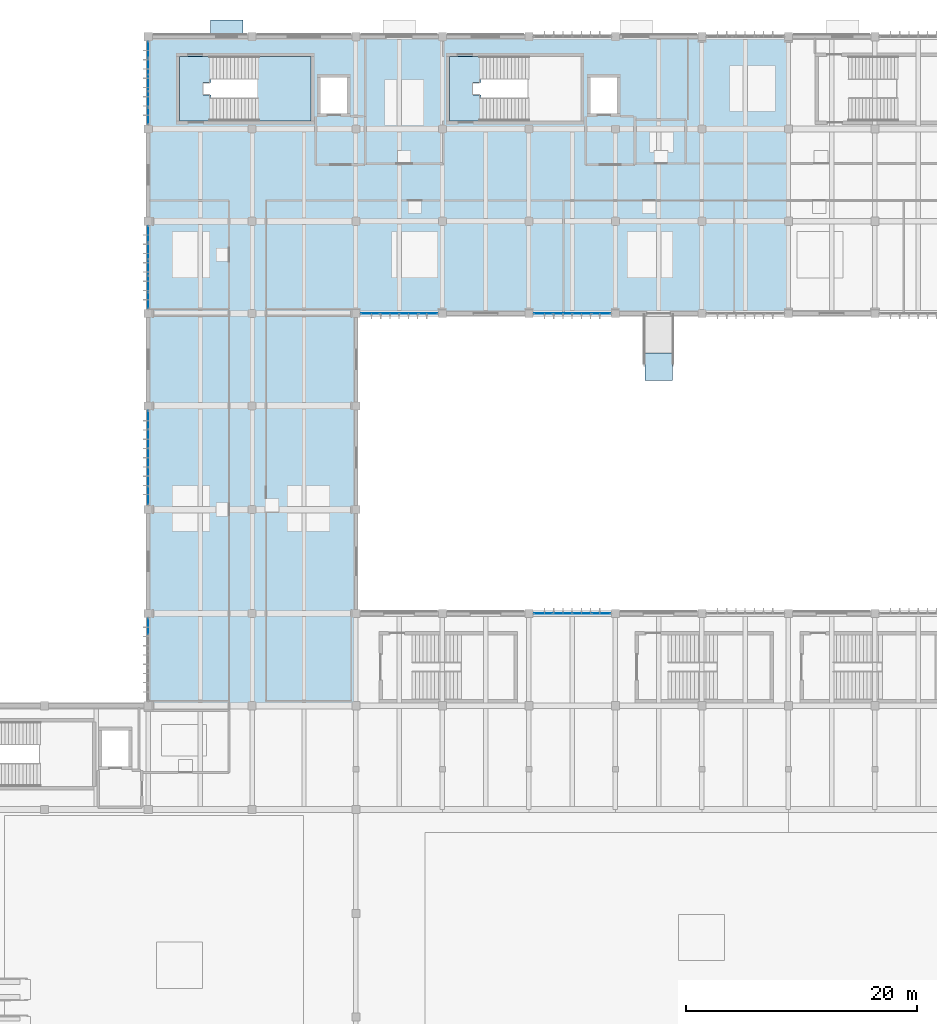
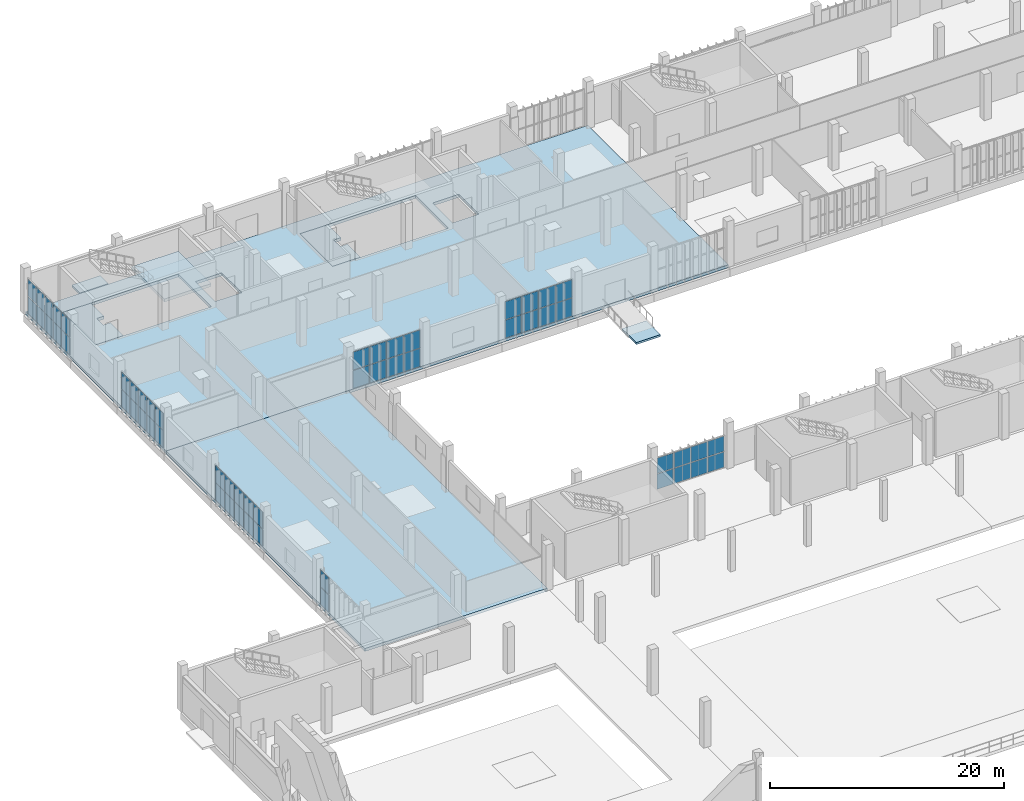
# One storey, part 36 of 72: 56 plates, 7 slabs, 8 elements without a shape of their own.
"""IFC4 building model written with IfcOpenShell, lengths in metres."""

import ifcopenshell
import ifcopenshell.guid

model = None  # the IFC model being written
_history = None  # IfcOwnerHistory: only IFC2X3 demands one
_inside = {}  # id of a spatial element -> (the spatial element, [elements in it])
_under = {}  # id of a project, library or spatial element -> (it, [spatial elements below it])
_declared = {}  # id of a project -> (the project, [libraries it declares])
_typed = {}  # id of a type object -> (the type object, [elements of that type])
_made_of = {}  # id of a material, layer set ... -> (it, [elements and type objects made of it])


def new_model(schema):
    """Start an empty IFC model of exactly this schema.

    Asked for "IFC4X3", IfcOpenShell would pick the latest addendum, in which some entities
    have other attributes; the version numbers below select the first issue.
    IFC2X3 requires an IfcOwnerHistory on every rooted entity: one is made here for all.
    """
    global model, _history
    if schema == "IFC4X3":
        model = ifcopenshell.file(schema_version=(4, 3, 0, 0))
    else:
        model = ifcopenshell.file(schema=schema)
    _inside.clear()
    _under.clear()
    _declared.clear()
    _typed.clear()
    _made_of.clear()
    _history = None
    if model.schema == "IFC2X3":
        org = make("IfcOrganization", Name="unknown")
        user = make(
            "IfcPersonAndOrganization",
            ThePerson=make("IfcPerson", FamilyName="unknown"),
            TheOrganization=org,
        )
        app = make(
            "IfcApplication",
            ApplicationDeveloper=org,
            Version="unknown",
            ApplicationFullName="unknown",
            ApplicationIdentifier="unknown",
        )
        _history = make(
            "IfcOwnerHistory",
            OwningUser=user,
            OwningApplication=app,
            ChangeAction="ADDED",
            CreationDate=0,
        )
    return model


def make(cls, **values):
    """One entity of the class cls with the attributes given. An attribute that is None is left unset."""
    return model.create_entity(
        cls, **{name: value for name, value in values.items() if value is not None}
    )


def rooted(cls, **values):
    """An entity with a GlobalId (a new one), such as an element, a storey or a relation."""
    return make(cls, GlobalId=ifcopenshell.guid.new(), OwnerHistory=_history, **values)


def si_unit(unit_type, name, prefix=None):
    """IfcSIUnit, for example si_unit("LENGTHUNIT", "METRE", prefix="MILLI")."""
    return make("IfcSIUnit", UnitType=unit_type, Prefix=prefix, Name=name)


def assignment(units):
    """IfcUnitAssignment: the units of a project."""
    return None if units is None else make("IfcUnitAssignment", Units=units)


def point(xyz):
    """IfcCartesianPoint."""
    return None if xyz is None else make("IfcCartesianPoint", Coordinates=xyz)


def direction(xyz):
    """IfcDirection."""
    return None if xyz is None else make("IfcDirection", DirectionRatios=xyz)


def frame(location, z_axis=None, x_axis=None):
    """IfcAxis2Placement3D, a coordinate frame: its origin and axes. An axis left out is left unset."""
    return make(
        "IfcAxis2Placement3D",
        Location=point(location),
        Axis=direction(z_axis),
        RefDirection=direction(x_axis),
    )


def frame_2d(location, x_axis=None):
    """IfcAxis2Placement2D, a coordinate frame in the plane: its origin and x axis."""
    return make(
        "IfcAxis2Placement2D", Location=point(location), RefDirection=direction(x_axis)
    )


def origin():
    """The frame at (0, 0, 0) with its axes left unset."""
    return frame((0.0, 0.0, 0.0))


def origin_2d():
    """The frame at (0, 0) in the plane with its x axis left unset."""
    return frame_2d((0.0, 0.0))


def place(relative_to, where):
    """IfcLocalPlacement: puts the frame where relative to a parent placement (None: the world)."""
    return make(
        "IfcLocalPlacement", PlacementRelTo=relative_to, RelativePlacement=where
    )


def context(
    kind, dimensions, precision=None, world=None, true_north=None, identifier=None
):
    """IfcGeometricRepresentationContext, for example the 3D "Model" context."""
    return make(
        "IfcGeometricRepresentationContext",
        ContextIdentifier=identifier,
        ContextType=kind,
        CoordinateSpaceDimension=dimensions,
        Precision=precision,
        WorldCoordinateSystem=world,
        TrueNorth=true_north,
    )


def subcontext(parent, identifier, kind, view, scale=None):
    """IfcGeometricRepresentationSubContext, for example "Body" below "Model"."""
    return make(
        "IfcGeometricRepresentationSubContext",
        ContextIdentifier=identifier,
        ContextType=kind,
        ParentContext=parent,
        TargetScale=scale,
        TargetView=view,
    )


def project(units=None, contexts=None):
    """IfcProject with its units and contexts."""
    return rooted(
        "IfcProject",
        Name="project",
        RepresentationContexts=contexts,
        UnitsInContext=assignment(units),
    )


def spatial(cls, under=None, at=None, **own):
    """A site, building, storey or space (cls), placed at a placement, below another one or the project."""
    s = rooted(cls, ObjectPlacement=at, **own)
    if under is not None:
        _under.setdefault(under.id(), (under, []))[1].append(s)
    return s


def polyline(points):
    """IfcPolyline through the points."""
    return make("IfcPolyline", Points=[point(p) for p in points])


def profile(cls, at=None, kind="AREA", **sizes):
    """A parametric profile (cls). Its sizes go by their IFC names, for example OverallWidth=200.0."""
    return make(cls, ProfileType=kind, Position=at, **sizes)


def rectangle(**sizes):
    """IfcRectangleProfileDef."""
    return profile("IfcRectangleProfileDef", **sizes)


def outline(outer, holes=None, kind="AREA"):
    """IfcArbitraryClosedProfileDef: a profile drawn as a closed curve; with holes, ...WithVoids."""
    if holes is None:
        return make("IfcArbitraryClosedProfileDef", ProfileType=kind, OuterCurve=outer)
    return make(
        "IfcArbitraryProfileDefWithVoids",
        ProfileType=kind,
        OuterCurve=outer,
        InnerCurves=holes,
    )


def extrude(swept, where, along, depth):
    """IfcExtrudedAreaSolid: the profile swept, set in the frame where, extruded along a direction by depth."""
    return make(
        "IfcExtrudedAreaSolid",
        SweptArea=swept,
        Position=where,
        ExtrudedDirection=direction(along),
        Depth=depth,
    )


def shape(context_of_items, identifier, shape_type, items):
    """IfcShapeRepresentation: the items that make up one representation, for example the "Body"."""
    return make(
        "IfcShapeRepresentation",
        ContextOfItems=context_of_items,
        RepresentationIdentifier=identifier,
        RepresentationType=shape_type,
        Items=items,
    )


def material(Name=None, Category=None):
    """IfcMaterial."""
    return make("IfcMaterial", Name=Name, Category=Category)


def layer(
    of_material, thickness, ventilated=None, Name=None, Category=None, Priority=None
):
    """IfcMaterialLayer: one layer of a wall or slab, of a material (None: an air gap)."""
    return make(
        "IfcMaterialLayer",
        Material=of_material,
        LayerThickness=thickness,
        IsVentilated=ventilated,
        Name=Name,
        Category=Category,
        Priority=Priority,
    )


def layer_set(layers, Name=None):
    """IfcMaterialLayerSet."""
    return make("IfcMaterialLayerSet", MaterialLayers=layers, LayerSetName=Name)


def made_of(thing, what):
    """Note that an element or type object is made of a material, layer set ...; save() writes the relation."""
    if what is not None:
        _made_of.setdefault(what.id(), (what, []))[1].append(thing)
    return thing


def type_object(cls, material=None, **own):
    """A type object (cls), such as IfcWallType, which elements share."""
    return made_of(rooted(cls, **own), material)


def element(
    cls,
    number,
    at=None,
    inside=None,
    cuts=None,
    type_object=None,
    material=None,
    context=None,
    identifier="Body",
    shape_type=None,
    held_by="IfcProductDefinitionShape",
    body=None,
    shapes=None,
    **own,
):
    """One element of the class cls, such as IfcWall. Its Tag is "e" and its number.

    at: its placement. inside: the storey or other place that contains it. cuts: it is an
    opening in that element (IfcRelVoidsElement). A single representation is given by context,
    identifier, shape_type and body (its items); several are given by shapes. held_by: the class
    of the entity that holds the representations. save() writes the other relations.
    """
    e = rooted(cls, Tag="e%d" % number, ObjectPlacement=at, **own)
    if body is not None:
        shapes = [shape(context, identifier, shape_type, body)]
    if shapes is not None:
        e.Representation = make(held_by, Representations=shapes)
    if inside is not None:
        _inside.setdefault(inside.id(), (inside, []))[1].append(e)
    if cuts is not None:
        rooted(
            "IfcRelVoidsElement", RelatingBuildingElement=cuts, RelatedOpeningElement=e
        )
    if type_object is not None:
        _typed.setdefault(type_object.id(), (type_object, []))[1].append(e)
    return made_of(e, material)


def aggregate(whole, parts):
    """IfcRelAggregates: a whole, such as a stair, and the parts it consists of."""
    return rooted("IfcRelAggregates", RelatingObject=whole, RelatedObjects=parts)


def save(model, path):
    """Write the relations noted so far, then the file.

    IfcRelAggregates (storeys below a building ...), IfcRelContainedInSpatialStructure (elements
    in a storey), IfcRelDefinesByType, IfcRelAssociatesMaterial and IfcRelDeclares: one each for
    every whole, place, type object, material and project.
    """
    for whole, parts in _under.values():
        aggregate(whole, parts)
    for where, things in _inside.values():
        rooted(
            "IfcRelContainedInSpatialStructure",
            RelatedElements=things,
            RelatingStructure=where,
        )
    for kind, things in _typed.values():
        rooted("IfcRelDefinesByType", RelatedObjects=things, RelatingType=kind)
    for what, things in _made_of.values():
        rooted("IfcRelAssociatesMaterial", RelatedObjects=things, RelatingMaterial=what)
    for by, libraries in _declared.values():
        rooted("IfcRelDeclares", RelatingContext=by, RelatedDefinitions=libraries)
    model.write(path)


model = new_model("IFC4")

# Units and contexts
model_context = context("Model", 3, precision=1e-05, world=origin(), true_north=direction((0.0, 1.0)))
body_context = subcontext(model_context, "Body", "Model", "MODEL_VIEW")
ifc_project = project(units=[si_unit("LENGTHUNIT", "METRE"), si_unit("AREAUNIT", "SQUARE_METRE"), si_unit("VOLUMEUNIT", "CUBIC_METRE"), si_unit("PLANEANGLEUNIT", "RADIAN"), si_unit("MASSUNIT", "GRAM", prefix="KILO")], contexts=[model_context])

# Site, building, storey
site_placement = place(None, origin())
site = spatial("IfcSite", under=ifc_project, at=site_placement, CompositionType="ELEMENT")
building_placement = place(site_placement, origin())
building = spatial("IfcBuilding", under=site, at=building_placement, Name="Vourika Railside Aquatics Centre", CompositionType="ELEMENT")
storey_placement = place(building_placement, origin())
storey = spatial("IfcBuildingStorey", under=building, at=storey_placement, Name="L00", CompositionType="ELEMENT", Elevation=0.0)

# Curtain wall, plates
ifc_material_1 = material(Name="Anodized thermally broken aluminium", Category="aluminium")
curtain_wall_type_1 = type_object("IfcCurtainWallType", Name="CW-CRT0", PredefinedType="NOTDEFINED", material=ifc_material_1)
curtain_wall_1_placement = place(storey_placement, origin())
curtain_wall_1 = element("IfcCurtainWall", 1, at=curtain_wall_1_placement, inside=storey, type_object=curtain_wall_type_1, Name="North Courtyard Undercroft Curtain Wall 3", PredefinedType="NOTDEFINED")
ifc_material_2 = material(Name="Low-E solar-control laminated double glazing", Category="glass")
ifc_layer_1 = layer(ifc_material_2, 0.031982421875, Name="CWP-CRT0")
ifc_layer_set_1 = layer_set([ifc_layer_1], Name="Low-E solar-control laminated double glazing")
plate_type_1 = type_object("IfcPlateType", Name="CWP-CRT0", PredefinedType="CURTAIN_PANEL", material=ifc_layer_set_1)
plate_1_placement = place(storey_placement, frame((57.260009765625, 66.0, 0.070068359375), z_axis=(0.0, 0.0, 1.0), x_axis=(-1.0, 0.0, 0.0)))
plate_1 = element("IfcPlate", 2, at=plate_1_placement, type_object=plate_type_1, Name="CW12 panel 1.1", PredefinedType="CURTAIN_PANEL", context=body_context, shape_type="SweptSolid", body=[
    extrude(rectangle(XDim=1.580078125, YDim=0.031982421875, at=origin_2d()), origin(), (0.0, 0.0, 1.0), 1.5849609375),
])
plate_2_placement = place(storey_placement, frame((57.260009765625, 66.0, 1.72509765625), z_axis=(0.0, 0.0, 1.0), x_axis=(-1.0, 0.0, 0.0)))
plate_2 = element("IfcPlate", 3, at=plate_2_placement, type_object=plate_type_1, Name="CW12 panel 1.2", PredefinedType="CURTAIN_PANEL", context=body_context, shape_type="SweptSolid", body=[
    extrude(rectangle(XDim=1.580078125, YDim=0.031982421875, at=origin_2d()), origin(), (0.0, 0.0, 1.0), 1.5849609375),
])
plate_3_placement = place(storey_placement, frame((55.592529296875, 66.0, 0.070068359375), z_axis=(0.0, 0.0, 1.0), x_axis=(-1.0, 0.0, 0.0)))
plate_3 = element("IfcPlate", 4, at=plate_3_placement, type_object=plate_type_1, Name="CW12 panel 2.1", PredefinedType="CURTAIN_PANEL", context=body_context, shape_type="SweptSolid", body=[
    extrude(rectangle(XDim=1.614990234375, YDim=0.031982421875, at=origin_2d()), origin(), (0.0, 0.0, 1.0), 1.5849609375),
])
plate_4_placement = place(storey_placement, frame((55.592529296875, 66.0, 1.72509765625), z_axis=(0.0, 0.0, 1.0), x_axis=(-1.0, 0.0, 0.0)))
plate_4 = element("IfcPlate", 5, at=plate_4_placement, type_object=plate_type_1, Name="CW12 panel 2.2", PredefinedType="CURTAIN_PANEL", context=body_context, shape_type="SweptSolid", body=[
    extrude(rectangle(XDim=1.614990234375, YDim=0.031982421875, at=origin_2d()), origin(), (0.0, 0.0, 1.0), 1.5849609375),
])
plate_5_placement = place(storey_placement, frame((53.907470703125, 66.0, 0.070068359375), z_axis=(0.0, 0.0, 1.0), x_axis=(-1.0, 0.0, 0.0)))
plate_5 = element("IfcPlate", 6, at=plate_5_placement, type_object=plate_type_1, Name="CW12 panel 3.1", PredefinedType="CURTAIN_PANEL", context=body_context, shape_type="SweptSolid", body=[
    extrude(rectangle(XDim=1.614990234375, YDim=0.031982421875, at=origin_2d()), origin(), (0.0, 0.0, 1.0), 1.5849609375),
])
plate_6_placement = place(storey_placement, frame((53.907470703125, 66.0, 1.72509765625), z_axis=(0.0, 0.0, 1.0), x_axis=(-1.0, 0.0, 0.0)))
plate_6 = element("IfcPlate", 7, at=plate_6_placement, type_object=plate_type_1, Name="CW12 panel 3.2", PredefinedType="CURTAIN_PANEL", context=body_context, shape_type="SweptSolid", body=[
    extrude(rectangle(XDim=1.614990234375, YDim=0.031982421875, at=origin_2d()), origin(), (0.0, 0.0, 1.0), 1.5849609375),
])
plate_7_placement = place(storey_placement, frame((52.239990234375, 66.0, 0.070068359375), z_axis=(0.0, 0.0, 1.0), x_axis=(-1.0, 0.0, 0.0)))
plate_7 = element("IfcPlate", 8, at=plate_7_placement, type_object=plate_type_1, Name="CW12 panel 4.1", PredefinedType="CURTAIN_PANEL", context=body_context, shape_type="SweptSolid", body=[
    extrude(rectangle(XDim=1.580078125, YDim=0.031982421875, at=origin_2d()), origin(), (0.0, 0.0, 1.0), 1.5849609375),
])
plate_8_placement = place(storey_placement, frame((52.239990234375, 66.0, 1.72509765625), z_axis=(0.0, 0.0, 1.0), x_axis=(-1.0, 0.0, 0.0)))
plate_8 = element("IfcPlate", 9, at=plate_8_placement, type_object=plate_type_1, Name="CW12 panel 4.2", PredefinedType="CURTAIN_PANEL", context=body_context, shape_type="SweptSolid", body=[
    extrude(rectangle(XDim=1.580078125, YDim=0.031982421875, at=origin_2d()), origin(), (0.0, 0.0, 1.0), 1.5849609375),
])
aggregate(curtain_wall_1, [plate_1, plate_2, plate_3, plate_4, plate_5, plate_6, plate_7, plate_8])

curtain_wall_type_2 = type_object("IfcCurtainWallType", Name="CW-FIT0", PredefinedType="NOTDEFINED", material=ifc_material_1)
curtain_wall_2_placement = place(storey_placement, origin())
curtain_wall_2 = element("IfcCurtainWall", 10, at=curtain_wall_2_placement, inside=storey, type_object=curtain_wall_type_2, Name="Courtyard Fitness Curtain Wall L00-1", PredefinedType="NOTDEFINED")
ifc_layer_2 = layer(ifc_material_2, 0.031982421875, Name="CWP-FIT0")
ifc_layer_set_2 = layer_set([ifc_layer_2], Name="Low-E solar-control laminated double glazing")
plate_type_2 = type_object("IfcPlateType", Name="CWP-FIT0", PredefinedType="CURTAIN_PANEL", material=ifc_layer_set_2)
plate_9_placement = place(storey_placement, frame((37.23876953125, 92.0, 0.06494140625), z_axis=(0.0, 0.0, 1.0), x_axis=(1.0, 0.0, 0.0)))
plate_9 = element("IfcPlate", 11, at=plate_9_placement, type_object=plate_type_2, Name="CW14 panel 1.1", PredefinedType="CURTAIN_PANEL", context=body_context, shape_type="SweptSolid", body=[
    extrude(rectangle(XDim=1.58740234375, YDim=0.031982421875, at=origin_2d()), origin(), (0.0, 0.0, 1.0), 1.867431640625),
])
plate_10_placement = place(storey_placement, frame((37.23876953125, 92.0, 1.99755859375), z_axis=(0.0, 0.0, 1.0), x_axis=(1.0, 0.0, 0.0)))
plate_10 = element("IfcPlate", 12, at=plate_10_placement, type_object=plate_type_2, Name="CW14 panel 1.2", PredefinedType="CURTAIN_PANEL", context=body_context, shape_type="SweptSolid", body=[
    extrude(rectangle(XDim=1.58740234375, YDim=0.031982421875, at=origin_2d()), origin(), (0.0, 0.0, 1.0), 1.867431640625),
])
plate_11_placement = place(storey_placement, frame((38.907470703125, 92.0, 0.06494140625), z_axis=(0.0, 0.0, 1.0), x_axis=(1.0, 0.0, 0.0)))
plate_11 = element("IfcPlate", 13, at=plate_11_placement, type_object=plate_type_2, Name="CW14 panel 2.1", PredefinedType="CURTAIN_PANEL", context=body_context, shape_type="SweptSolid", body=[
    extrude(rectangle(XDim=1.6201171875, YDim=0.031982421875, at=origin_2d()), origin(), (0.0, 0.0, 1.0), 1.867431640625),
])
plate_12_placement = place(storey_placement, frame((38.907470703125, 92.0, 1.99755859375), z_axis=(0.0, 0.0, 1.0), x_axis=(1.0, 0.0, 0.0)))
plate_12 = element("IfcPlate", 14, at=plate_12_placement, type_object=plate_type_2, Name="CW14 panel 2.2", PredefinedType="CURTAIN_PANEL", context=body_context, shape_type="SweptSolid", body=[
    extrude(rectangle(XDim=1.6201171875, YDim=0.031982421875, at=origin_2d()), origin(), (0.0, 0.0, 1.0), 1.867431640625),
])
plate_13_placement = place(storey_placement, frame((40.592529296875, 92.0, 0.06494140625), z_axis=(0.0, 0.0, 1.0), x_axis=(1.0, 0.0, 0.0)))
plate_13 = element("IfcPlate", 15, at=plate_13_placement, type_object=plate_type_2, Name="CW14 panel 3.1", PredefinedType="CURTAIN_PANEL", context=body_context, shape_type="SweptSolid", body=[
    extrude(rectangle(XDim=1.6201171875, YDim=0.031982421875, at=origin_2d()), origin(), (0.0, 0.0, 1.0), 1.867431640625),
])
plate_14_placement = place(storey_placement, frame((40.592529296875, 92.0, 1.99755859375), z_axis=(0.0, 0.0, 1.0), x_axis=(1.0, 0.0, 0.0)))
plate_14 = element("IfcPlate", 16, at=plate_14_placement, type_object=plate_type_2, Name="CW14 panel 3.2", PredefinedType="CURTAIN_PANEL", context=body_context, shape_type="SweptSolid", body=[
    extrude(rectangle(XDim=1.6201171875, YDim=0.031982421875, at=origin_2d()), origin(), (0.0, 0.0, 1.0), 1.867431640625),
])
plate_15_placement = place(storey_placement, frame((42.26123046875, 92.0, 0.06494140625), z_axis=(0.0, 0.0, 1.0), x_axis=(1.0, 0.0, 0.0)))
plate_15 = element("IfcPlate", 17, at=plate_15_placement, type_object=plate_type_2, Name="CW14 panel 4.1", PredefinedType="CURTAIN_PANEL", context=body_context, shape_type="SweptSolid", body=[
    extrude(rectangle(XDim=1.58740234375, YDim=0.031982421875, at=origin_2d()), origin(), (0.0, 0.0, 1.0), 1.867431640625),
])
plate_16_placement = place(storey_placement, frame((42.26123046875, 92.0, 1.99755859375), z_axis=(0.0, 0.0, 1.0), x_axis=(1.0, 0.0, 0.0)))
plate_16 = element("IfcPlate", 18, at=plate_16_placement, type_object=plate_type_2, Name="CW14 panel 4.2", PredefinedType="CURTAIN_PANEL", context=body_context, shape_type="SweptSolid", body=[
    extrude(rectangle(XDim=1.58740234375, YDim=0.031982421875, at=origin_2d()), origin(), (0.0, 0.0, 1.0), 1.867431640625),
])
aggregate(curtain_wall_2, [plate_9, plate_10, plate_11, plate_12, plate_13, plate_14, plate_15, plate_16])

curtain_wall_3_placement = place(storey_placement, origin())
curtain_wall_3 = element("IfcCurtainWall", 19, at=curtain_wall_3_placement, inside=storey, type_object=curtain_wall_type_2, Name="Courtyard Fitness Curtain Wall L00-3", PredefinedType="NOTDEFINED")
plate_17_placement = place(storey_placement, frame((52.23876953125, 92.0, 0.06494140625), z_axis=(0.0, 0.0, 1.0), x_axis=(1.0, 0.0, 0.0)))
plate_17 = element("IfcPlate", 20, at=plate_17_placement, type_object=plate_type_2, Name="CW14 panel 1.1", PredefinedType="CURTAIN_PANEL", context=body_context, shape_type="SweptSolid", body=[
    extrude(rectangle(XDim=1.58740234375, YDim=0.031982421875, at=origin_2d()), origin(), (0.0, 0.0, 1.0), 1.867431640625),
])
plate_18_placement = place(storey_placement, frame((52.23876953125, 92.0, 1.99755859375), z_axis=(0.0, 0.0, 1.0), x_axis=(1.0, 0.0, 0.0)))
plate_18 = element("IfcPlate", 21, at=plate_18_placement, type_object=plate_type_2, Name="CW14 panel 1.2", PredefinedType="CURTAIN_PANEL", context=body_context, shape_type="SweptSolid", body=[
    extrude(rectangle(XDim=1.58740234375, YDim=0.031982421875, at=origin_2d()), origin(), (0.0, 0.0, 1.0), 1.867431640625),
])
plate_19_placement = place(storey_placement, frame((53.907470703125, 92.0, 0.06494140625), z_axis=(0.0, 0.0, 1.0), x_axis=(1.0, 0.0, 0.0)))
plate_19 = element("IfcPlate", 22, at=plate_19_placement, type_object=plate_type_2, Name="CW14 panel 2.1", PredefinedType="CURTAIN_PANEL", context=body_context, shape_type="SweptSolid", body=[
    extrude(rectangle(XDim=1.6201171875, YDim=0.031982421875, at=origin_2d()), origin(), (0.0, 0.0, 1.0), 1.867431640625),
])
plate_20_placement = place(storey_placement, frame((53.907470703125, 92.0, 1.99755859375), z_axis=(0.0, 0.0, 1.0), x_axis=(1.0, 0.0, 0.0)))
plate_20 = element("IfcPlate", 23, at=plate_20_placement, type_object=plate_type_2, Name="CW14 panel 2.2", PredefinedType="CURTAIN_PANEL", context=body_context, shape_type="SweptSolid", body=[
    extrude(rectangle(XDim=1.6201171875, YDim=0.031982421875, at=origin_2d()), origin(), (0.0, 0.0, 1.0), 1.867431640625),
])
plate_21_placement = place(storey_placement, frame((55.592529296875, 92.0, 0.06494140625), z_axis=(0.0, 0.0, 1.0), x_axis=(1.0, 0.0, 0.0)))
plate_21 = element("IfcPlate", 24, at=plate_21_placement, type_object=plate_type_2, Name="CW14 panel 3.1", PredefinedType="CURTAIN_PANEL", context=body_context, shape_type="SweptSolid", body=[
    extrude(rectangle(XDim=1.6201171875, YDim=0.031982421875, at=origin_2d()), origin(), (0.0, 0.0, 1.0), 1.867431640625),
])
plate_22_placement = place(storey_placement, frame((55.592529296875, 92.0, 1.99755859375), z_axis=(0.0, 0.0, 1.0), x_axis=(1.0, 0.0, 0.0)))
plate_22 = element("IfcPlate", 25, at=plate_22_placement, type_object=plate_type_2, Name="CW14 panel 3.2", PredefinedType="CURTAIN_PANEL", context=body_context, shape_type="SweptSolid", body=[
    extrude(rectangle(XDim=1.6201171875, YDim=0.031982421875, at=origin_2d()), origin(), (0.0, 0.0, 1.0), 1.867431640625),
])
plate_23_placement = place(storey_placement, frame((57.26123046875, 92.0, 0.06494140625), z_axis=(0.0, 0.0, 1.0), x_axis=(1.0, 0.0, 0.0)))
plate_23 = element("IfcPlate", 26, at=plate_23_placement, type_object=plate_type_2, Name="CW14 panel 4.1", PredefinedType="CURTAIN_PANEL", context=body_context, shape_type="SweptSolid", body=[
    extrude(rectangle(XDim=1.58740234375, YDim=0.031982421875, at=origin_2d()), origin(), (0.0, 0.0, 1.0), 1.867431640625),
])
plate_24_placement = place(storey_placement, frame((57.26123046875, 92.0, 1.99755859375), z_axis=(0.0, 0.0, 1.0), x_axis=(1.0, 0.0, 0.0)))
plate_24 = element("IfcPlate", 27, at=plate_24_placement, type_object=plate_type_2, Name="CW14 panel 4.2", PredefinedType="CURTAIN_PANEL", context=body_context, shape_type="SweptSolid", body=[
    extrude(rectangle(XDim=1.58740234375, YDim=0.031982421875, at=origin_2d()), origin(), (0.0, 0.0, 1.0), 1.867431640625),
])
aggregate(curtain_wall_3, [plate_17, plate_18, plate_19, plate_20, plate_21, plate_22, plate_23, plate_24])

curtain_wall_4_placement = place(storey_placement, origin())
curtain_wall_4 = element("IfcCurtainWall", 28, at=curtain_wall_4_placement, inside=storey, type_object=curtain_wall_type_2, Name="Fitness West Boulevard Curtain Wall L00-1", PredefinedType="NOTDEFINED")
plate_25_placement = place(storey_placement, frame((18.0, 64.879638671875, 0.06494140625), z_axis=(0.0, 0.0, 1.0), x_axis=(0.0, -1.0, 0.0)))
plate_25 = element("IfcPlate", 29, at=plate_25_placement, type_object=plate_type_2, Name="CW14 panel 1.1", PredefinedType="CURTAIN_PANEL", context=body_context, shape_type="SweptSolid", body=[
    extrude(rectangle(XDim=1.3505859375, YDim=0.031982421875, at=origin_2d()), origin(), (0.0, 0.0, 1.0), 1.767578125),
])
plate_26_placement = place(storey_placement, frame((18.0, 64.879638671875, 1.8974609375), z_axis=(0.0, 0.0, 1.0), x_axis=(0.0, -1.0, 0.0)))
plate_26 = element("IfcPlate", 30, at=plate_26_placement, type_object=plate_type_2, Name="CW14 panel 1.2", PredefinedType="CURTAIN_PANEL", context=body_context, shape_type="SweptSolid", body=[
    extrude(rectangle(XDim=1.3505859375, YDim=0.031982421875, at=origin_2d()), origin(), (0.0, 0.0, 1.0), 1.767578125),
])
aggregate(curtain_wall_4, [plate_25, plate_26])

curtain_wall_5_placement = place(storey_placement, origin())
curtain_wall_5 = element("IfcCurtainWall", 31, at=curtain_wall_5_placement, inside=storey, type_object=curtain_wall_type_2, Name="Fitness West Boulevard Curtain Wall L00-3", PredefinedType="NOTDEFINED")
plate_27_placement = place(storey_placement, frame((18.0, 82.77978515625, 0.06494140625), z_axis=(0.0, 0.0, 1.0), x_axis=(0.0, -1.0, 0.0)))
plate_27 = element("IfcPlate", 32, at=plate_27_placement, type_object=plate_type_2, Name="CW14 panel 1.1", PredefinedType="CURTAIN_PANEL", context=body_context, shape_type="SweptSolid", body=[
    extrude(rectangle(XDim=1.550537109375, YDim=0.031982421875, at=origin_2d()), origin(), (0.0, 0.0, 1.0), 1.767578125),
])
plate_28_placement = place(storey_placement, frame((18.0, 82.77978515625, 1.8974609375), z_axis=(0.0, 0.0, 1.0), x_axis=(0.0, -1.0, 0.0)))
plate_28 = element("IfcPlate", 33, at=plate_28_placement, type_object=plate_type_2, Name="CW14 panel 1.2", PredefinedType="CURTAIN_PANEL", context=body_context, shape_type="SweptSolid", body=[
    extrude(rectangle(XDim=1.550537109375, YDim=0.031982421875, at=origin_2d()), origin(), (0.0, 0.0, 1.0), 1.767578125),
])
plate_29_placement = place(storey_placement, frame((18.0, 81.14794921875, 0.06494140625), z_axis=(0.0, 0.0, 1.0), x_axis=(0.0, -1.0, 0.0)))
plate_29 = element("IfcPlate", 34, at=plate_29_placement, type_object=plate_type_2, Name="CW14 panel 2.1", PredefinedType="CURTAIN_PANEL", context=body_context, shape_type="SweptSolid", body=[
    extrude(rectangle(XDim=1.5830078125, YDim=0.031982421875, at=origin_2d()), origin(), (0.0, 0.0, 1.0), 1.767578125),
])
plate_30_placement = place(storey_placement, frame((18.0, 81.14794921875, 1.8974609375), z_axis=(0.0, 0.0, 1.0), x_axis=(0.0, -1.0, 0.0)))
plate_30 = element("IfcPlate", 35, at=plate_30_placement, type_object=plate_type_2, Name="CW14 panel 2.2", PredefinedType="CURTAIN_PANEL", context=body_context, shape_type="SweptSolid", body=[
    extrude(rectangle(XDim=1.5830078125, YDim=0.031982421875, at=origin_2d()), origin(), (0.0, 0.0, 1.0), 1.767578125),
])
plate_31_placement = place(storey_placement, frame((18.0, 79.5, 0.06494140625), z_axis=(0.0, 0.0, 1.0), x_axis=(0.0, -1.0, 0.0)))
plate_31 = element("IfcPlate", 36, at=plate_31_placement, type_object=plate_type_2, Name="CW14 panel 3.1", PredefinedType="CURTAIN_PANEL", context=body_context, shape_type="SweptSolid", body=[
    extrude(rectangle(XDim=1.5830078125, YDim=0.031982421875, at=origin_2d()), origin(), (0.0, 0.0, 1.0), 1.767578125),
])
plate_32_placement = place(storey_placement, frame((18.0, 79.5, 1.8974609375), z_axis=(0.0, 0.0, 1.0), x_axis=(0.0, -1.0, 0.0)))
plate_32 = element("IfcPlate", 37, at=plate_32_placement, type_object=plate_type_2, Name="CW14 panel 3.2", PredefinedType="CURTAIN_PANEL", context=body_context, shape_type="SweptSolid", body=[
    extrude(rectangle(XDim=1.5830078125, YDim=0.031982421875, at=origin_2d()), origin(), (0.0, 0.0, 1.0), 1.767578125),
])
plate_33_placement = place(storey_placement, frame((18.0, 77.85205078125, 0.06494140625), z_axis=(0.0, 0.0, 1.0), x_axis=(0.0, -1.0, 0.0)))
plate_33 = element("IfcPlate", 38, at=plate_33_placement, type_object=plate_type_2, Name="CW14 panel 4.1", PredefinedType="CURTAIN_PANEL", context=body_context, shape_type="SweptSolid", body=[
    extrude(rectangle(XDim=1.5830078125, YDim=0.031982421875, at=origin_2d()), origin(), (0.0, 0.0, 1.0), 1.767578125),
])
plate_34_placement = place(storey_placement, frame((18.0, 77.85205078125, 1.8974609375), z_axis=(0.0, 0.0, 1.0), x_axis=(0.0, -1.0, 0.0)))
plate_34 = element("IfcPlate", 39, at=plate_34_placement, type_object=plate_type_2, Name="CW14 panel 4.2", PredefinedType="CURTAIN_PANEL", context=body_context, shape_type="SweptSolid", body=[
    extrude(rectangle(XDim=1.5830078125, YDim=0.031982421875, at=origin_2d()), origin(), (0.0, 0.0, 1.0), 1.767578125),
])
plate_35_placement = place(storey_placement, frame((18.0, 76.22021484375, 0.06494140625), z_axis=(0.0, 0.0, 1.0), x_axis=(0.0, -1.0, 0.0)))
plate_35 = element("IfcPlate", 40, at=plate_35_placement, type_object=plate_type_2, Name="CW14 panel 5.1", PredefinedType="CURTAIN_PANEL", context=body_context, shape_type="SweptSolid", body=[
    extrude(rectangle(XDim=1.550537109375, YDim=0.031982421875, at=origin_2d()), origin(), (0.0, 0.0, 1.0), 1.767578125),
])
plate_36_placement = place(storey_placement, frame((18.0, 76.22021484375, 1.8974609375), z_axis=(0.0, 0.0, 1.0), x_axis=(0.0, -1.0, 0.0)))
plate_36 = element("IfcPlate", 41, at=plate_36_placement, type_object=plate_type_2, Name="CW14 panel 5.2", PredefinedType="CURTAIN_PANEL", context=body_context, shape_type="SweptSolid", body=[
    extrude(rectangle(XDim=1.550537109375, YDim=0.031982421875, at=origin_2d()), origin(), (0.0, 0.0, 1.0), 1.767578125),
])
aggregate(curtain_wall_5, [plate_27, plate_28, plate_29, plate_30, plate_31, plate_32, plate_33, plate_34, plate_35, plate_36])

curtain_wall_6_placement = place(storey_placement, origin())
curtain_wall_6 = element("IfcCurtainWall", 42, at=curtain_wall_6_placement, inside=storey, type_object=curtain_wall_type_2, Name="Fitness West Boulevard Curtain Wall L00-5", PredefinedType="NOTDEFINED")
plate_37_placement = place(storey_placement, frame((18.0, 98.879638671875, 0.06494140625), z_axis=(0.0, 0.0, 1.0), x_axis=(0.0, -1.0, 0.0)))
plate_37 = element("IfcPlate", 43, at=plate_37_placement, type_object=plate_type_2, Name="CW14 panel 1.1", PredefinedType="CURTAIN_PANEL", context=body_context, shape_type="SweptSolid", body=[
    extrude(rectangle(XDim=1.3505859375, YDim=0.031982421875, at=origin_2d()), origin(), (0.0, 0.0, 1.0), 1.767578125),
])
plate_38_placement = place(storey_placement, frame((18.0, 98.879638671875, 1.8974609375), z_axis=(0.0, 0.0, 1.0), x_axis=(0.0, -1.0, 0.0)))
plate_38 = element("IfcPlate", 44, at=plate_38_placement, type_object=plate_type_2, Name="CW14 panel 1.2", PredefinedType="CURTAIN_PANEL", context=body_context, shape_type="SweptSolid", body=[
    extrude(rectangle(XDim=1.3505859375, YDim=0.031982421875, at=origin_2d()), origin(), (0.0, 0.0, 1.0), 1.767578125),
])
plate_39_placement = place(storey_placement, frame((18.0, 97.447998046875, 0.06494140625), z_axis=(0.0, 0.0, 1.0), x_axis=(0.0, -1.0, 0.0)))
plate_39 = element("IfcPlate", 45, at=plate_39_placement, type_object=plate_type_2, Name="CW14 panel 2.1", PredefinedType="CURTAIN_PANEL", context=body_context, shape_type="SweptSolid", body=[
    extrude(rectangle(XDim=1.383056640625, YDim=0.031982421875, at=origin_2d()), origin(), (0.0, 0.0, 1.0), 1.767578125),
])
plate_40_placement = place(storey_placement, frame((18.0, 97.447998046875, 1.8974609375), z_axis=(0.0, 0.0, 1.0), x_axis=(0.0, -1.0, 0.0)))
plate_40 = element("IfcPlate", 46, at=plate_40_placement, type_object=plate_type_2, Name="CW14 panel 2.2", PredefinedType="CURTAIN_PANEL", context=body_context, shape_type="SweptSolid", body=[
    extrude(rectangle(XDim=1.383056640625, YDim=0.031982421875, at=origin_2d()), origin(), (0.0, 0.0, 1.0), 1.767578125),
])
plate_41_placement = place(storey_placement, frame((18.0, 96.0, 0.06494140625), z_axis=(0.0, 0.0, 1.0), x_axis=(0.0, -1.0, 0.0)))
plate_41 = element("IfcPlate", 47, at=plate_41_placement, type_object=plate_type_2, Name="CW14 panel 3.1", PredefinedType="CURTAIN_PANEL", context=body_context, shape_type="SweptSolid", body=[
    extrude(rectangle(XDim=1.383056640625, YDim=0.031982421875, at=origin_2d()), origin(), (0.0, 0.0, 1.0), 1.767578125),
])
plate_42_placement = place(storey_placement, frame((18.0, 96.0, 1.8974609375), z_axis=(0.0, 0.0, 1.0), x_axis=(0.0, -1.0, 0.0)))
plate_42 = element("IfcPlate", 48, at=plate_42_placement, type_object=plate_type_2, Name="CW14 panel 3.2", PredefinedType="CURTAIN_PANEL", context=body_context, shape_type="SweptSolid", body=[
    extrude(rectangle(XDim=1.383056640625, YDim=0.031982421875, at=origin_2d()), origin(), (0.0, 0.0, 1.0), 1.767578125),
])
plate_43_placement = place(storey_placement, frame((18.0, 94.552001953125, 0.06494140625), z_axis=(0.0, 0.0, 1.0), x_axis=(0.0, -1.0, 0.0)))
plate_43 = element("IfcPlate", 49, at=plate_43_placement, type_object=plate_type_2, Name="CW14 panel 4.1", PredefinedType="CURTAIN_PANEL", context=body_context, shape_type="SweptSolid", body=[
    extrude(rectangle(XDim=1.383056640625, YDim=0.031982421875, at=origin_2d()), origin(), (0.0, 0.0, 1.0), 1.767578125),
])
plate_44_placement = place(storey_placement, frame((18.0, 94.552001953125, 1.8974609375), z_axis=(0.0, 0.0, 1.0), x_axis=(0.0, -1.0, 0.0)))
plate_44 = element("IfcPlate", 50, at=plate_44_placement, type_object=plate_type_2, Name="CW14 panel 4.2", PredefinedType="CURTAIN_PANEL", context=body_context, shape_type="SweptSolid", body=[
    extrude(rectangle(XDim=1.383056640625, YDim=0.031982421875, at=origin_2d()), origin(), (0.0, 0.0, 1.0), 1.767578125),
])
plate_45_placement = place(storey_placement, frame((18.0, 93.120361328125, 0.06494140625), z_axis=(0.0, 0.0, 1.0), x_axis=(0.0, -1.0, 0.0)))
plate_45 = element("IfcPlate", 51, at=plate_45_placement, type_object=plate_type_2, Name="CW14 panel 5.1", PredefinedType="CURTAIN_PANEL", context=body_context, shape_type="SweptSolid", body=[
    extrude(rectangle(XDim=1.3505859375, YDim=0.031982421875, at=origin_2d()), origin(), (0.0, 0.0, 1.0), 1.767578125),
])
plate_46_placement = place(storey_placement, frame((18.0, 93.120361328125, 1.8974609375), z_axis=(0.0, 0.0, 1.0), x_axis=(0.0, -1.0, 0.0)))
plate_46 = element("IfcPlate", 52, at=plate_46_placement, type_object=plate_type_2, Name="CW14 panel 5.2", PredefinedType="CURTAIN_PANEL", context=body_context, shape_type="SweptSolid", body=[
    extrude(rectangle(XDim=1.3505859375, YDim=0.031982421875, at=origin_2d()), origin(), (0.0, 0.0, 1.0), 1.767578125),
])
aggregate(curtain_wall_6, [plate_37, plate_38, plate_39, plate_40, plate_41, plate_42, plate_43, plate_44, plate_45, plate_46])

curtain_wall_7_placement = place(storey_placement, origin())
curtain_wall_7 = element("IfcCurtainWall", 53, at=curtain_wall_7_placement, inside=storey, type_object=curtain_wall_type_2, Name="Fitness West Boulevard Curtain Wall L00-7", PredefinedType="NOTDEFINED")
plate_47_placement = place(storey_placement, frame((18.0, 114.879638671875, 0.06494140625), z_axis=(0.0, 0.0, 1.0), x_axis=(0.0, -1.0, 0.0)))
plate_47 = element("IfcPlate", 54, at=plate_47_placement, type_object=plate_type_2, Name="CW14 panel 1.1", PredefinedType="CURTAIN_PANEL", context=body_context, shape_type="SweptSolid", body=[
    extrude(rectangle(XDim=1.3505859375, YDim=0.031982421875, at=origin_2d()), origin(), (0.0, 0.0, 1.0), 1.767578125),
])
plate_48_placement = place(storey_placement, frame((18.0, 114.879638671875, 1.8974609375), z_axis=(0.0, 0.0, 1.0), x_axis=(0.0, -1.0, 0.0)))
plate_48 = element("IfcPlate", 55, at=plate_48_placement, type_object=plate_type_2, Name="CW14 panel 1.2", PredefinedType="CURTAIN_PANEL", context=body_context, shape_type="SweptSolid", body=[
    extrude(rectangle(XDim=1.3505859375, YDim=0.031982421875, at=origin_2d()), origin(), (0.0, 0.0, 1.0), 1.767578125),
])
plate_49_placement = place(storey_placement, frame((18.0, 113.447998046875, 0.06494140625), z_axis=(0.0, 0.0, 1.0), x_axis=(0.0, -1.0, 0.0)))
plate_49 = element("IfcPlate", 56, at=plate_49_placement, type_object=plate_type_2, Name="CW14 panel 2.1", PredefinedType="CURTAIN_PANEL", context=body_context, shape_type="SweptSolid", body=[
    extrude(rectangle(XDim=1.383056640625, YDim=0.031982421875, at=origin_2d()), origin(), (0.0, 0.0, 1.0), 1.767578125),
])
plate_50_placement = place(storey_placement, frame((18.0, 113.447998046875, 1.8974609375), z_axis=(0.0, 0.0, 1.0), x_axis=(0.0, -1.0, 0.0)))
plate_50 = element("IfcPlate", 57, at=plate_50_placement, type_object=plate_type_2, Name="CW14 panel 2.2", PredefinedType="CURTAIN_PANEL", context=body_context, shape_type="SweptSolid", body=[
    extrude(rectangle(XDim=1.383056640625, YDim=0.031982421875, at=origin_2d()), origin(), (0.0, 0.0, 1.0), 1.767578125),
])
plate_51_placement = place(storey_placement, frame((18.0, 112.0, 0.06494140625), z_axis=(0.0, 0.0, 1.0), x_axis=(0.0, -1.0, 0.0)))
plate_51 = element("IfcPlate", 58, at=plate_51_placement, type_object=plate_type_2, Name="CW14 panel 3.1", PredefinedType="CURTAIN_PANEL", context=body_context, shape_type="SweptSolid", body=[
    extrude(rectangle(XDim=1.383056640625, YDim=0.031982421875, at=origin_2d()), origin(), (0.0, 0.0, 1.0), 1.767578125),
])
plate_52_placement = place(storey_placement, frame((18.0, 112.0, 1.8974609375), z_axis=(0.0, 0.0, 1.0), x_axis=(0.0, -1.0, 0.0)))
plate_52 = element("IfcPlate", 59, at=plate_52_placement, type_object=plate_type_2, Name="CW14 panel 3.2", PredefinedType="CURTAIN_PANEL", context=body_context, shape_type="SweptSolid", body=[
    extrude(rectangle(XDim=1.383056640625, YDim=0.031982421875, at=origin_2d()), origin(), (0.0, 0.0, 1.0), 1.767578125),
])
plate_53_placement = place(storey_placement, frame((18.0, 110.552001953125, 0.06494140625), z_axis=(0.0, 0.0, 1.0), x_axis=(0.0, -1.0, 0.0)))
plate_53 = element("IfcPlate", 60, at=plate_53_placement, type_object=plate_type_2, Name="CW14 panel 4.1", PredefinedType="CURTAIN_PANEL", context=body_context, shape_type="SweptSolid", body=[
    extrude(rectangle(XDim=1.383056640625, YDim=0.031982421875, at=origin_2d()), origin(), (0.0, 0.0, 1.0), 1.767578125),
])
plate_54_placement = place(storey_placement, frame((18.0, 110.552001953125, 1.8974609375), z_axis=(0.0, 0.0, 1.0), x_axis=(0.0, -1.0, 0.0)))
plate_54 = element("IfcPlate", 61, at=plate_54_placement, type_object=plate_type_2, Name="CW14 panel 4.2", PredefinedType="CURTAIN_PANEL", context=body_context, shape_type="SweptSolid", body=[
    extrude(rectangle(XDim=1.383056640625, YDim=0.031982421875, at=origin_2d()), origin(), (0.0, 0.0, 1.0), 1.767578125),
])
plate_55_placement = place(storey_placement, frame((18.0, 109.120361328125, 0.06494140625), z_axis=(0.0, 0.0, 1.0), x_axis=(0.0, -1.0, 0.0)))
plate_55 = element("IfcPlate", 62, at=plate_55_placement, type_object=plate_type_2, Name="CW14 panel 5.1", PredefinedType="CURTAIN_PANEL", context=body_context, shape_type="SweptSolid", body=[
    extrude(rectangle(XDim=1.3505859375, YDim=0.031982421875, at=origin_2d()), origin(), (0.0, 0.0, 1.0), 1.767578125),
])
plate_56_placement = place(storey_placement, frame((18.0, 109.120361328125, 1.8974609375), z_axis=(0.0, 0.0, 1.0), x_axis=(0.0, -1.0, 0.0)))
plate_56 = element("IfcPlate", 63, at=plate_56_placement, type_object=plate_type_2, Name="CW14 panel 5.2", PredefinedType="CURTAIN_PANEL", context=body_context, shape_type="SweptSolid", body=[
    extrude(rectangle(XDim=1.3505859375, YDim=0.031982421875, at=origin_2d()), origin(), (0.0, 0.0, 1.0), 1.767578125),
])
aggregate(curtain_wall_7, [plate_47, plate_48, plate_49, plate_50, plate_51, plate_52, plate_53, plate_54, plate_55, plate_56])

# Slabs
ifc_material_3 = material(Name="Concrete C35/45", Category="concrete")
ifc_layer_3 = layer(ifc_material_3, 0.2099609375, Name="SLB-ACCPAD-210")
ifc_layer_set_3 = layer_set([ifc_layer_3], Name="Concrete C35/45")
slab_type_1 = type_object("IfcSlabType", Name="SLB-ACCPAD-210", PredefinedType="FLOOR", material=ifc_layer_set_3)
slab_1_placement = place(storey_placement, frame((0.0, 0.0, -0.4599609375)))
element("IfcSlab", 64, at=slab_1_placement, inside=storey, type_object=slab_type_1, Name="Monsoon Courtyard Clinic Accessible Ramp AR2 Lower Landing Apron", PredefinedType="FLOOR", context=body_context, shape_type="SweptSolid", body=[
    extrude(outline(polyline([(61.050048828125, 86.199951171875), (63.449951171875, 86.199951171875), (63.449951171875, 88.60009765625), (61.050048828125, 88.60009765625), (61.050048828125, 86.199951171875)])), origin(), (0.0, 0.0, 1.0), 0.2099609375),
])
ifc_layer_4 = layer(ifc_material_3, 0.2099609375, Name="SLB-APRON-210E")
ifc_layer_set_4 = layer_set([ifc_layer_4], Name="Concrete C35/45")
slab_type_2 = type_object("IfcSlabType", Name="SLB-APRON-210E", PredefinedType="FLOOR", material=ifc_layer_set_4)
slab_2_placement = place(storey_placement, frame((0.0, 0.0, -0.2099609375)))
element("IfcSlab", 65, at=slab_2_placement, inside=storey, type_object=slab_type_2, Name="Exterior Entrance Threshold Apron V5N_0", PredefinedType="FLOOR", context=body_context, shape_type="SweptSolid", body=[
    extrude(outline(polyline([(23.39990234375, 116.050048828125), (26.199951171875, 116.050048828125), (26.199951171875, 117.449951171875), (23.39990234375, 117.449951171875), (23.39990234375, 116.050048828125)])), origin(), (0.0, 0.0, 1.0), 0.2099609375),
])
ifc_layer_5 = layer(ifc_material_3, 0.31005859375, Name="SLB-CORE-310")
ifc_layer_set_5 = layer_set([ifc_layer_5], Name="Concrete C35/45")
slab_type_3 = type_object("IfcSlabType", Name="SLB-CORE-310", PredefinedType="FLOOR", material=ifc_layer_set_5)
slab_3_placement = place(storey_placement, frame((0.0, 0.0, -0.31005859375)))
element("IfcSlab", 66, at=slab_3_placement, inside=storey, type_object=slab_type_3, Name="Protected Exit Stair Core ST01 Core Floor Landing (L00)", PredefinedType="FLOOR", context=body_context, shape_type="SweptSolid", body=[
    extrude(outline(polyline([(20.699951171875, 108.699951171875), (23.43994140625, 108.699951171875), (23.43994140625, 110.949951171875), (22.75, 110.949951171875), (22.75, 112.050048828125), (23.43994140625, 112.050048828125), (23.43994140625, 114.300048828125), (20.699951171875, 114.300048828125), (20.699951171875, 108.699951171875)])), origin(), (0.0, 0.0, 1.0), 0.31005859375),
])
slab_4_placement = place(storey_placement, frame((0.0, 0.0, -0.31005859375)))
element("IfcSlab", 67, at=slab_4_placement, inside=storey, type_object=slab_type_3, Name="Protected Exit Stair Core ST02 Core Floor Landing (L00)", PredefinedType="FLOOR", context=body_context, shape_type="SweptSolid", body=[
    extrude(outline(polyline([(44.10009765625, 108.699951171875), (46.840087890625, 108.699951171875), (46.840087890625, 110.949951171875), (46.14990234375, 110.949951171875), (46.14990234375, 112.050048828125), (46.840087890625, 112.050048828125), (46.840087890625, 114.300048828125), (44.10009765625, 114.300048828125), (44.10009765625, 108.699951171875)])), origin(), (0.0, 0.0, 1.0), 0.31005859375),
])
ifc_layer_6 = layer(ifc_material_3, 0.300048828125, Name="SLB-FLOOR-300")
ifc_layer_set_6 = layer_set([ifc_layer_6], Name="Concrete C35/45")
slab_type_4 = type_object("IfcSlabType", Name="SLB-FLOOR-300", PredefinedType="FLOOR", material=ifc_layer_set_6)
slab_5_placement = place(storey_placement, frame((0.0, 0.0, -0.300048828125)))
element("IfcSlab", 68, at=slab_5_placement, inside=storey, type_object=slab_type_4, Name="L00 Floor Slab (v5_link)", PredefinedType="FLOOR", context=body_context, shape_type="SweptSolid", body=[
    extrude(outline(polyline([(18.0, 58.0), (18.0, 92.0), (36.0, 92.0), (36.0, 58.0), (18.0, 58.0)])), origin(), (0.0, 0.0, 1.0), 0.300048828125),
])
slab_6_placement = place(storey_placement, frame((0.0, 0.0, -0.300048828125)))
element("IfcSlab", 69, at=slab_6_placement, inside=storey, type_object=slab_type_4, Name="L00 Floor Slab (v5_nw)", PredefinedType="FLOOR", context=body_context, shape_type="SweptSolid", body=[
    extrude(outline(polyline([(18.0, 92.0), (18.0, 116.0), (73.5, 116.0), (73.5, 92.0), (18.0, 92.0)]), holes=[polyline([(35.39990234375, 112.60009765625), (32.800048828125, 112.60009765625), (32.800048828125, 109.199951171875), (35.39990234375, 109.199951171875), (35.39990234375, 112.60009765625)]), polyline([(32.10009765625, 114.300048828125), (20.699951171875, 114.300048828125), (20.699951171875, 108.699951171875), (32.10009765625, 108.699951171875), (32.10009765625, 114.300048828125)]), polyline([(55.5, 114.300048828125), (44.10009765625, 114.300048828125), (44.10009765625, 108.699951171875), (55.5, 108.699951171875), (55.5, 114.300048828125)]), polyline([(58.800048828125, 112.60009765625), (56.199951171875, 112.60009765625), (56.199951171875, 109.199951171875), (58.800048828125, 109.199951171875), (58.800048828125, 112.60009765625)])]), origin(), (0.0, 0.0, 1.0), 0.300048828125),
])

# Stair, slab
stair_type = type_object("IfcStairType", Name="STR-CORE-L00", PredefinedType="TWO_STRAIGHT_RUN_STAIR", material=ifc_material_3)
stair_placement = place(storey_placement, origin())
stair = element("IfcStair", 70, at=stair_placement, inside=storey, type_object=stair_type, Name="Protected Exit Stair Core ST01 (L00)", PredefinedType="TWO_STRAIGHT_RUN_STAIR")
ifc_layer_7 = layer(ifc_material_3, 0.31005859375, Name="SLB-LND-310")
ifc_layer_set_7 = layer_set([ifc_layer_7], Name="Concrete C35/45")
slab_type_5 = type_object("IfcSlabType", Name="SLB-LND-310", PredefinedType="LANDING", material=ifc_layer_set_7)
slab_7_placement = place(storey_placement, frame((0.0, 0.0, 2.090087890625)))
slab_7 = element("IfcSlab", 71, at=slab_7_placement, type_object=slab_type_5, Name="STC-L00 landing 1", PredefinedType="LANDING", context=body_context, shape_type="SweptSolid", body=[
    extrude(outline(polyline([(27.471923828125, 108.699951171875), (32.10009765625, 108.699951171875), (32.10009765625, 114.300048828125), (27.471923828125, 114.300048828125), (27.471923828125, 108.699951171875)])), origin(), (0.0, 0.0, 1.0), 0.309814453125),
])
aggregate(stair, [slab_7])

save(model, "model.ifc")
